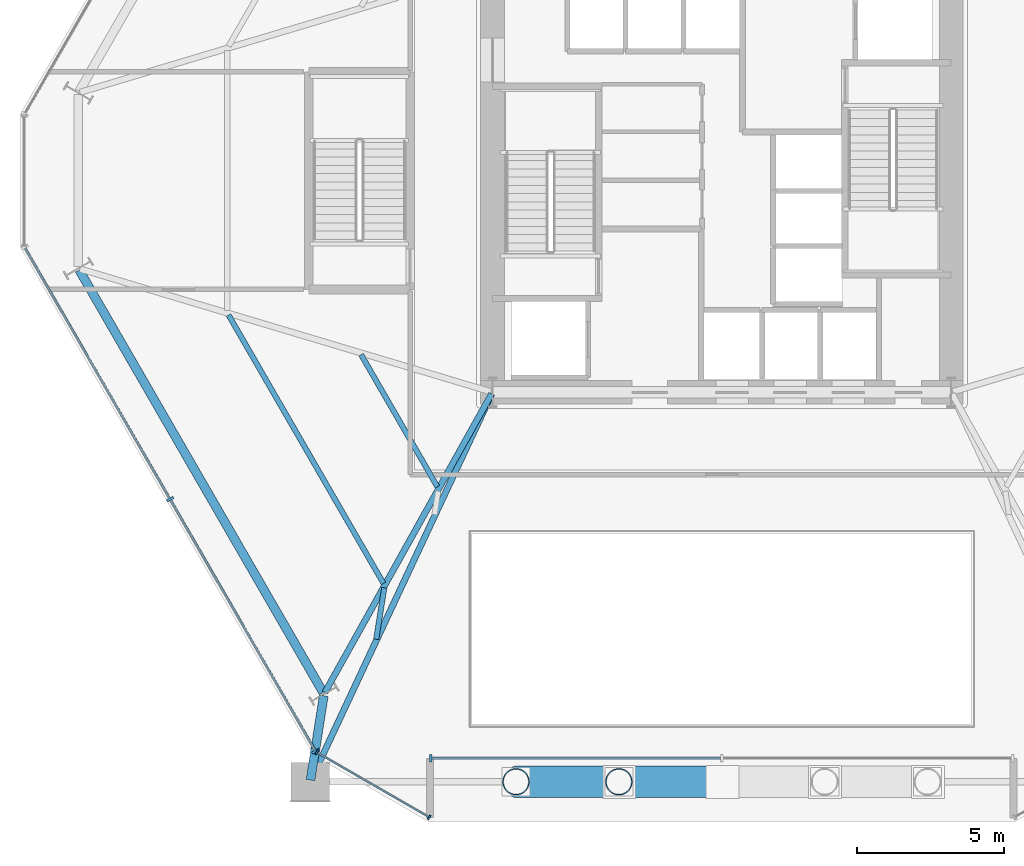
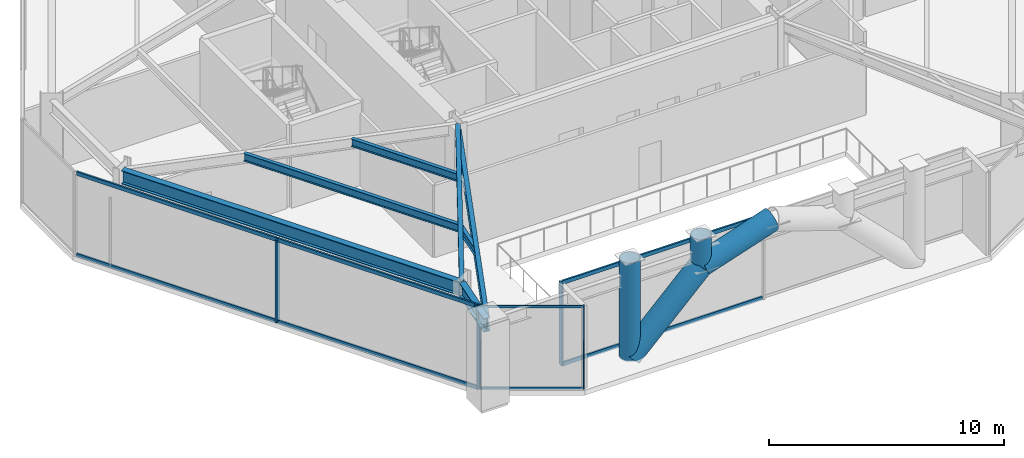
# One storey, part 5 of 23: 17 members, 7 beams, 3 elements without a shape of their own.
"""IFC4 building model written with IfcOpenShell, lengths in metres."""

from ifc_helpers import new_model, si_unit, direction, frame, origin, origin_2d, place, context, subcontext, project, spatial, rectangle, hollow_circle, i_section, extrude, material, layer, layer_set, material_profile, profile_set, type_object, element, aggregate, save


model = new_model("IFC4")

# Units and contexts
model_context = context("Model", 3, precision=1e-05, world=origin(), true_north=direction((0.0, 1.0)))
body_context = subcontext(model_context, "Body", "Model", "MODEL_VIEW")
ifc_project = project(units=[si_unit("LENGTHUNIT", "METRE"), si_unit("AREAUNIT", "SQUARE_METRE"), si_unit("VOLUMEUNIT", "CUBIC_METRE"), si_unit("PLANEANGLEUNIT", "RADIAN"), si_unit("MASSUNIT", "GRAM", prefix="KILO")], contexts=[model_context])

# Site, building, storey
site_placement = place(None, origin())
site = spatial("IfcSite", under=ifc_project, at=site_placement, CompositionType="ELEMENT")
building_placement = place(site_placement, origin())
building = spatial("IfcBuilding", under=site, at=building_placement, Name="Kranzbogen Civic Tower", CompositionType="ELEMENT")
storey_placement = place(building_placement, frame((0.0, 0.0, 14.39990234375)))
storey = spatial("IfcBuildingStorey", under=building, at=storey_placement, Name="L03", CompositionType="ELEMENT", Elevation=14.39990234375)

# Curtain wall, members
ifc_material_1 = material(Name="Pale Anodised Aluminium", Category="aluminium")
ifc_layer_1 = layer(ifc_material_1, 0.219970703125, Name="Pale Anodised Aluminium")
ifc_layer_set_1 = layer_set([ifc_layer_1], Name="Pale Anodised Aluminium")
curtain_wall_type_1 = type_object("IfcCurtainWallType", Name="Chamfer Facet Stick Curtain Wall System CW-06", PredefinedType="USERDEFINED", material=ifc_layer_set_1)
curtain_wall_1_placement = place(storey_placement, origin())
curtain_wall_1 = element("IfcCurtainWall", 1, at=curtain_wall_1_placement, inside=storey, type_object=curtain_wall_type_1, Name="L03 curtain wall CW-L03-C4", ObjectType="STICK CURTAIN WALL", PredefinedType="USERDEFINED")
ifc_material_profile_1 = material_profile(ifc_material_1, rectangle(XDim=0.06005859375, YDim=0.159912109375, at=origin_2d()), Name="ALU-M 60x160")
ifc_profile_set_1 = profile_set([ifc_material_profile_1], Name="Pale Anodised Aluminium")
member_type_1 = type_object("IfcMemberType", Name="Curtain Wall Mullion ALU-M 60x160", PredefinedType="MULLION", material=ifc_profile_set_1)
member_1_placement = place(storey_placement, frame((11.221923828125, 5.549072265625, 0.0), z_axis=(0.0, 0.0, 1.0), x_axis=(0.865992001897, -0.500057849305, 0.0)))
member_1 = element("IfcMember", 2, at=member_1_placement, type_object=member_type_1, Name="CW-06 mullion 1", PredefinedType="MULLION", context=body_context, shape_type="SweptSolid", body=[
    extrude(rectangle(XDim=0.06005859375, YDim=0.159912109375, at=origin_2d()), origin(), (0.0, 0.0, 1.0), 4.300048828125),
])
member_2_placement = place(storey_placement, frame((15.0439453125, 3.342041015625, 0.0), z_axis=(0.0, 0.0, 1.0), x_axis=(0.865992001897, -0.500057849305, 0.0)))
member_2 = element("IfcMember", 3, at=member_2_placement, type_object=member_type_1, Name="CW-06 mullion 2", PredefinedType="MULLION", context=body_context, shape_type="SweptSolid", body=[
    extrude(rectangle(XDim=0.06005859375, YDim=0.159912109375, at=origin_2d()), origin(), (0.0, 0.0, 1.0), 4.300048828125),
])

ifc_layer_2 = layer(ifc_material_1, 0.219970703125, Name="Pale Anodised Aluminium")
ifc_layer_set_2 = layer_set([ifc_layer_2], Name="Pale Anodised Aluminium")
curtain_wall_type_2 = type_object("IfcCurtainWallType", Name="Podium Stick Curtain Wall System CW-01", PredefinedType="USERDEFINED", material=ifc_layer_set_2)
curtain_wall_2_placement = place(storey_placement, origin())
curtain_wall_2 = element("IfcCurtainWall", 4, at=curtain_wall_2_placement, inside=storey, type_object=curtain_wall_type_2, Name="L03 curtain wall CW-L03-F4", ObjectType="STICK CURTAIN WALL", PredefinedType="USERDEFINED")
ifc_material_profile_2 = material_profile(ifc_material_1, rectangle(XDim=0.0849609375, YDim=0.260009765625, at=origin_2d()), Name="ALU-M 85x260")
ifc_profile_set_2 = profile_set([ifc_material_profile_2], Name="Pale Anodised Aluminium")
member_type_2 = type_object("IfcMemberType", Name="Curtain Wall Mullion ALU-M 85x260", PredefinedType="MULLION", material=ifc_profile_set_2)
member_3_placement = place(storey_placement, frame((6.23095703125, 14.16357421875, 0.0), z_axis=(0.0, 0.0, 1.0), x_axis=(0.500005767433, -0.86602207393, 0.0)))
member_3 = element("IfcMember", 5, at=member_3_placement, type_object=member_type_2, Name="CW-01 mullion 2", PredefinedType="MULLION", context=body_context, shape_type="SweptSolid", body=[
    extrude(rectangle(XDim=0.0849609375, YDim=0.260009765625, at=origin_2d()), origin(), (0.0, 0.0, 1.0), 4.300048828125),
])
member_4_placement = place(storey_placement, frame((11.180908203125, 5.590087890625, 0.0), z_axis=(0.0, 0.0, 1.0), x_axis=(0.500005767433, -0.86602207393, 0.0)))
member_4 = element("IfcMember", 6, at=member_4_placement, type_object=member_type_2, Name="CW-01 mullion 3", PredefinedType="MULLION", context=body_context, shape_type="SweptSolid", body=[
    extrude(rectangle(XDim=0.0849609375, YDim=0.260009765625, at=origin_2d()), origin(), (0.0, 0.0, 1.0), 4.300048828125),
])

# Curtain wall, member
curtain_wall_3_placement = place(storey_placement, origin())
curtain_wall_3 = element("IfcCurtainWall", 7, at=curtain_wall_3_placement, inside=storey, type_object=curtain_wall_type_2, Name="L03 curtain wall CW-L03-F5", ObjectType="STICK CURTAIN WALL", PredefinedType="USERDEFINED")
member_5_placement = place(storey_placement, frame((15.10009765625, 5.35009765625, 0.0), z_axis=(0.0, 0.0, 1.0), x_axis=(1.0, 0.0, 0.0)))
member_5 = element("IfcMember", 8, at=member_5_placement, type_object=member_type_2, Name="CW-01 mullion 1", PredefinedType="MULLION", context=body_context, shape_type="SweptSolid", body=[
    extrude(rectangle(XDim=0.0849609375, YDim=0.260009765625, at=origin_2d()), origin(), (0.0, 0.0, 1.0), 4.300048828125),
])

# Member
ifc_material_profile_3 = material_profile(ifc_material_1, rectangle(XDim=0.06005859375, YDim=0.1201171875, at=origin_2d()), Name="ALU-T 60x120")
ifc_profile_set_3 = profile_set([ifc_material_profile_3], Name="Pale Anodised Aluminium")
member_type_3 = type_object("IfcMemberType", Name="Curtain Wall Transom ALU-T 60x120", PredefinedType="USERDEFINED", material=ifc_profile_set_3)
member_6_placement = place(storey_placement, frame((11.248046875, 5.533935546875, 0.030029296875), z_axis=(0.865987588642, -0.500065492029, 0.0), x_axis=(0.500065492029, 0.865987588642, 0.0)))
member_6 = element("IfcMember", 9, at=member_6_placement, type_object=member_type_3, Name="CW-06 transom 1.1", ObjectType="TRANSOM", PredefinedType="USERDEFINED", context=body_context, shape_type="SweptSolid", body=[
    extrude(rectangle(XDim=0.06005859375, YDim=0.1201171875, at=origin_2d()), origin(), (0.0, 0.0, 1.0), 4.353515625),
])

member_7_placement = place(storey_placement, frame((11.248046875, 5.533935546875, 4.27001953125), z_axis=(0.865987588642, -0.500065492029, 0.0), x_axis=(0.500065492029, 0.865987588642, 0.0)))
member_7 = element("IfcMember", 10, at=member_7_placement, type_object=member_type_3, Name="CW-06 transom 1.2", ObjectType="TRANSOM", PredefinedType="USERDEFINED", context=body_context, shape_type="SweptSolid", body=[
    extrude(rectangle(XDim=0.06005859375, YDim=0.1201171875, at=origin_2d()), origin(), (0.0, 0.0, 1.0), 4.353515625),
])

aggregate(curtain_wall_1, [member_1, member_2, member_6, member_7])

ifc_material_profile_4 = material_profile(ifc_material_1, rectangle(XDim=0.0849609375, YDim=0.195068359375, at=origin_2d()), Name="ALU-T 85x195")
ifc_profile_set_4 = profile_set([ifc_material_profile_4], Name="Pale Anodised Aluminium")
member_type_4 = type_object("IfcMemberType", Name="Curtain Wall Transom ALU-T 85x195", PredefinedType="USERDEFINED", material=ifc_profile_set_4)
member_8_placement = place(storey_placement, frame((1.2958984375, 22.7109375, 0.030029296875), z_axis=(0.500021701106, -0.866012874282, 0.0), x_axis=(0.866012874282, 0.500021701106, 0.0)))
member_8 = element("IfcMember", 11, at=member_8_placement, type_object=member_type_4, Name="CW-01 transom 1.1", ObjectType="TRANSOM", PredefinedType="USERDEFINED", context=body_context, shape_type="SweptSolid", body=[
    extrude(rectangle(XDim=0.0849609375, YDim=0.195068359375, at=origin_2d()), origin(), (0.0, 0.0, 1.0), 9.83984375),
])

member_9_placement = place(storey_placement, frame((1.2958984375, 22.7109375, 4.27001953125), z_axis=(0.500021701106, -0.866012874282, 0.0), x_axis=(0.866012874282, 0.500021701106, 0.0)))
member_9 = element("IfcMember", 12, at=member_9_placement, type_object=member_type_4, Name="CW-01 transom 1.2", ObjectType="TRANSOM", PredefinedType="USERDEFINED", context=body_context, shape_type="SweptSolid", body=[
    extrude(rectangle(XDim=0.0849609375, YDim=0.195068359375, at=origin_2d()), origin(), (0.0, 0.0, 1.0), 9.83984375),
])

member_10_placement = place(storey_placement, frame((6.24609375, 14.137451171875, 0.030029296875), z_axis=(0.500003092839, -0.866023618125, 0.0), x_axis=(0.866023618125, 0.500003092839, 0.0)))
member_10 = element("IfcMember", 13, at=member_10_placement, type_object=member_type_4, Name="CW-01 transom 2.1", ObjectType="TRANSOM", PredefinedType="USERDEFINED", context=body_context, shape_type="SweptSolid", body=[
    extrude(rectangle(XDim=0.0849609375, YDim=0.195068359375, at=origin_2d()), origin(), (0.0, 0.0, 1.0), 9.83984375),
])

member_11_placement = place(storey_placement, frame((6.24609375, 14.137451171875, 4.27001953125), z_axis=(0.500003092839, -0.866023618125, 0.0), x_axis=(0.866023618125, 0.500003092839, 0.0)))
member_11 = element("IfcMember", 14, at=member_11_placement, type_object=member_type_4, Name="CW-01 transom 2.2", ObjectType="TRANSOM", PredefinedType="USERDEFINED", context=body_context, shape_type="SweptSolid", body=[
    extrude(rectangle(XDim=0.0849609375, YDim=0.195068359375, at=origin_2d()), origin(), (0.0, 0.0, 1.0), 9.83984375),
])

aggregate(curtain_wall_2, [member_3, member_4, member_8, member_9, member_10, member_11])

member_12_placement = place(storey_placement, frame((15.1298828125, 5.35009765625, 0.030029296875), z_axis=(1.0, 0.0, 0.0), x_axis=(0.0, 1.0, 0.0)))
member_12 = element("IfcMember", 15, at=member_12_placement, type_object=member_type_4, Name="CW-01 transom 1.1", ObjectType="TRANSOM", PredefinedType="USERDEFINED", context=body_context, shape_type="SweptSolid", body=[
    extrude(rectangle(XDim=0.0849609375, YDim=0.195068359375, at=origin_2d()), origin(), (0.0, 0.0, 1.0), 9.840087890625),
])

member_13_placement = place(storey_placement, frame((15.1298828125, 5.35009765625, 4.27001953125), z_axis=(1.0, 0.0, 0.0), x_axis=(0.0, 1.0, 0.0)))
member_13 = element("IfcMember", 16, at=member_13_placement, type_object=member_type_4, Name="CW-01 transom 1.2", ObjectType="TRANSOM", PredefinedType="USERDEFINED", context=body_context, shape_type="SweptSolid", body=[
    extrude(rectangle(XDim=0.0849609375, YDim=0.195068359375, at=origin_2d()), origin(), (0.0, 0.0, 1.0), 9.840087890625),
])

aggregate(curtain_wall_3, [member_5, member_12, member_13])

# Beams
ifc_material_2 = material(Name="Steel S355", Category="steel")
ifc_material_profile_5 = material_profile(ifc_material_2, i_section(OverallWidth=0.300048828125, OverallDepth=0.699951171875, WebThickness=0.01708984375, FlangeThickness=0.031982421875, at=origin_2d()), Name="HEB 700")
ifc_profile_set_5 = profile_set([ifc_material_profile_5], Name="Steel S355")
beam_type_1 = type_object("IfcBeamType", Name="Perimeter Tube Spandrel Beam HEB 700", PredefinedType="SPANDREL", material=ifc_profile_set_5)
beam_1_placement = place(storey_placement, frame((3.139892578125, 21.9619140625, 3.9501953125), z_axis=(0.500010210561, -0.866019508634, 0.0), x_axis=(0.866019508634, 0.500010210561, 0.0)))
element("IfcBeam", 17, at=beam_1_placement, inside=storey, type_object=beam_type_1, Name="L03 perimeter spandrel beam 01", PredefinedType="SPANDREL", context=body_context, shape_type="SweptSolid", body=[
    extrude(i_section(OverallWidth=0.300048828125, OverallDepth=0.699951171875, WebThickness=0.01708984375, FlangeThickness=0.031982421875, at=origin_2d()), origin(), (0.0, 0.0, 1.0), 16.597900390625),
])
beam_2_placement = place(storey_placement, frame((11.4599609375, 7.47705078125, 3.9501953125), z_axis=(-0.155310516678, -0.9878657011, 0.0), x_axis=(0.9878657011, -0.155310516678, 0.0)))
element("IfcBeam", 18, at=beam_2_placement, inside=storey, type_object=beam_type_1, Name="L03 perimeter spandrel beam 02", PredefinedType="SPANDREL", context=body_context, shape_type="SweptSolid", body=[
    extrude(i_section(OverallWidth=0.300048828125, OverallDepth=0.699951171875, WebThickness=0.01708984375, FlangeThickness=0.031982421875, at=origin_2d()), origin(), (0.0, 0.0, 1.0), 2.9033203125),
])

# Members
ifc_material_3 = material(Name="Steel S460", Category="steel")
ifc_material_profile_6 = material_profile(ifc_material_3, hollow_circle(Radius=0.533447265625, WallThickness=0.0400390625, at=origin_2d()), Name="CHS 1067x40")
ifc_profile_set_6 = profile_set([ifc_material_profile_6], Name="Steel S460")
member_type_5 = type_object("IfcMemberType", Name="Portal Arch Rib Segment CHS 1067x40", PredefinedType="USERDEFINED", material=ifc_profile_set_6)
member_14_placement = place(storey_placement, frame((18.0, 4.550048828125, -0.0498046875), z_axis=(0.708439776971, 0.0, 0.705771267767), x_axis=(0.0, 1.0, 0.0)))
element("IfcMember", 19, at=member_14_placement, inside=storey, type_object=member_type_5, Name="ARC-1: Giant South Portal Arch rib segment 3", ObjectType="ARCH_SEGMENT", PredefinedType="USERDEFINED", context=body_context, shape_type="SweptSolid", body=[
    extrude(hollow_circle(Radius=0.533447265625, WallThickness=0.0400390625, at=origin_2d()), origin(), (0.0, 0.0, 1.0), 4.9404296875),
])
member_15_placement = place(storey_placement, frame((21.5, 4.550048828125, 3.43701171875), z_axis=(0.948974154467, 0.0, 0.31535385546), x_axis=(0.0, 1.0, 0.0)))
element("IfcMember", 20, at=member_15_placement, inside=storey, type_object=member_type_5, Name="ARC-1: Giant South Portal Arch rib segment 4", ObjectType="ARCH_SEGMENT", PredefinedType="USERDEFINED", context=body_context, shape_type="SweptSolid", body=[
    extrude(hollow_circle(Radius=0.533447265625, WallThickness=0.0400390625, at=origin_2d()), origin(), (0.0, 0.0, 1.0), 3.688232421875),
])
ifc_material_profile_7 = material_profile(ifc_material_3, hollow_circle(Radius=0.45703125, WallThickness=0.035888671875, at=origin_2d()), Name="CHS 914x36")
ifc_profile_set_7 = profile_set([ifc_material_profile_7], Name="Steel S460")
member_type_6 = type_object("IfcMemberType", Name="Portal Arch Thrust Strut CHS 914x36", PredefinedType="STRUT", material=ifc_profile_set_7)
member_16_placement = place(storey_placement, frame((18.0, 4.550048828125, -0.0498046875), z_axis=(0.0, 0.0, 1.0), x_axis=(1.0, 0.0, 0.0)))
element("IfcMember", 21, at=member_16_placement, inside=storey, type_object=member_type_6, Name="STR-1: Portal arch transfer post 2", PredefinedType="STRUT", context=body_context, shape_type="SweptSolid", body=[
    extrude(hollow_circle(Radius=0.45703125, WallThickness=0.035888671875, at=origin_2d()), origin(), (0.0, 0.0, 1.0), 5.099853515625),
])
member_17_placement = place(storey_placement, frame((21.5, 4.550048828125, 3.43701171875), z_axis=(0.0, 0.0, 1.0), x_axis=(1.0, 0.0, 0.0)))
element("IfcMember", 22, at=member_17_placement, inside=storey, type_object=member_type_6, Name="STR-1: Portal arch transfer post 3", PredefinedType="STRUT", context=body_context, shape_type="SweptSolid", body=[
    extrude(hollow_circle(Radius=0.45703125, WallThickness=0.035888671875, at=origin_2d()), origin(), (0.0, 0.0, 1.0), 1.613037109375),
])

# Beams
ifc_material_profile_8 = material_profile(ifc_material_2, i_section(OverallWidth=0.2099609375, OverallDepth=0.550048828125, WebThickness=0.010986328125, FlangeThickness=0.01708984375, at=origin_2d()), Name="IPE 550")
ifc_profile_set_8 = profile_set([ifc_material_profile_8], Name="Steel S355")
beam_type_2 = type_object("IfcBeamType", Name="Radial Tower Floor Girder IPE 550", PredefinedType="BEAM", material=ifc_profile_set_8)
beam_3_placement = place(storey_placement, frame((11.498046875, 7.587890625, 4.025146484375), z_axis=(0.487501570266, 0.87312211001, 0.0), x_axis=(-0.87312211001, 0.487501570266, 0.0)))
element("IfcBeam", 23, at=beam_3_placement, inside=storey, type_object=beam_type_2, Name="L03 radial floor girder 02", PredefinedType="BEAM", context=body_context, shape_type="SweptSolid", body=[
    extrude(i_section(OverallWidth=0.2099609375, OverallDepth=0.550048828125, WebThickness=0.010986328125, FlangeThickness=0.01708984375, at=origin_2d()), origin(), (0.0, 0.0, 1.0), 11.636474609375),
])
beam_4_placement = place(storey_placement, frame((11.02490234375, 4.60400390625, 4.025146484375), z_axis=(0.423857000271, 0.905729122487, 0.0), x_axis=(-0.905729122487, 0.423857000271, 0.0)))
element("IfcBeam", 24, at=beam_4_placement, inside=storey, type_object=beam_type_2, Name="L03 radial floor girder 03", PredefinedType="BEAM", context=body_context, shape_type="SweptSolid", body=[
    extrude(i_section(OverallWidth=0.2099609375, OverallDepth=0.550048828125, WebThickness=0.010986328125, FlangeThickness=0.01708984375, at=origin_2d()), origin(), (0.0, 0.0, 1.0), 14.510009765625),
])
ifc_material_profile_9 = material_profile(ifc_material_2, i_section(OverallWidth=0.179931640625, OverallDepth=0.39990234375, WebThickness=0.008544921875, FlangeThickness=0.013427734375, at=origin_2d()), Name="IPE 400")
ifc_profile_set_9 = profile_set([ifc_material_profile_9], Name="Steel S355")
beam_type_3 = type_object("IfcBeamType", Name="Secondary Composite Floor Joist IPE 400", PredefinedType="JOIST", material=ifc_profile_set_9)
beam_5_placement = place(storey_placement, frame((8.221923828125, 20.427978515625, 4.10009765625), z_axis=(0.500000488781, -0.866025121586, 0.0), x_axis=(0.866025121586, 0.500000488781, 0.0)))
element("IfcBeam", 25, at=beam_5_placement, inside=storey, type_object=beam_type_3, Name="L03 secondary floor joist 1.01", PredefinedType="JOIST", context=body_context, shape_type="SweptSolid", body=[
    extrude(i_section(OverallWidth=0.179931640625, OverallDepth=0.39990234375, WebThickness=0.008544921875, FlangeThickness=0.013427734375, at=origin_2d()), origin(), (0.0, 0.0, 1.0), 10.5400390625),
])
beam_6_placement = place(storey_placement, frame((12.73095703125, 19.0791015625, 4.10009765625), z_axis=(0.500040090343, -0.866002256377, 0.0), x_axis=(0.866002256377, 0.500040090343, 0.0)))
element("IfcBeam", 26, at=beam_6_placement, inside=storey, type_object=beam_type_3, Name="L03 secondary floor joist 2.01", PredefinedType="JOIST", context=body_context, shape_type="SweptSolid", body=[
    extrude(i_section(OverallWidth=0.179931640625, OverallDepth=0.39990234375, WebThickness=0.008544921875, FlangeThickness=0.013427734375, at=origin_2d()), origin(), (0.0, 0.0, 1.0), 5.189453125),
])
beam_7_placement = place(storey_placement, frame((13.52001953125, 11.152099609375, 4.10009765625), z_axis=(-0.155581109843, -0.987823120938, 0.0), x_axis=(0.987823120938, -0.155581109843, 0.0)))
element("IfcBeam", 27, at=beam_7_placement, inside=storey, type_object=beam_type_3, Name="L03 secondary floor joist 1.02", PredefinedType="JOIST", context=body_context, shape_type="SweptSolid", body=[
    extrude(i_section(OverallWidth=0.179931640625, OverallDepth=0.39990234375, WebThickness=0.008544921875, FlangeThickness=0.013427734375, at=origin_2d()), origin(), (0.0, 0.0, 1.0), 1.77490234375),
])

save(model, "model.ifc")
